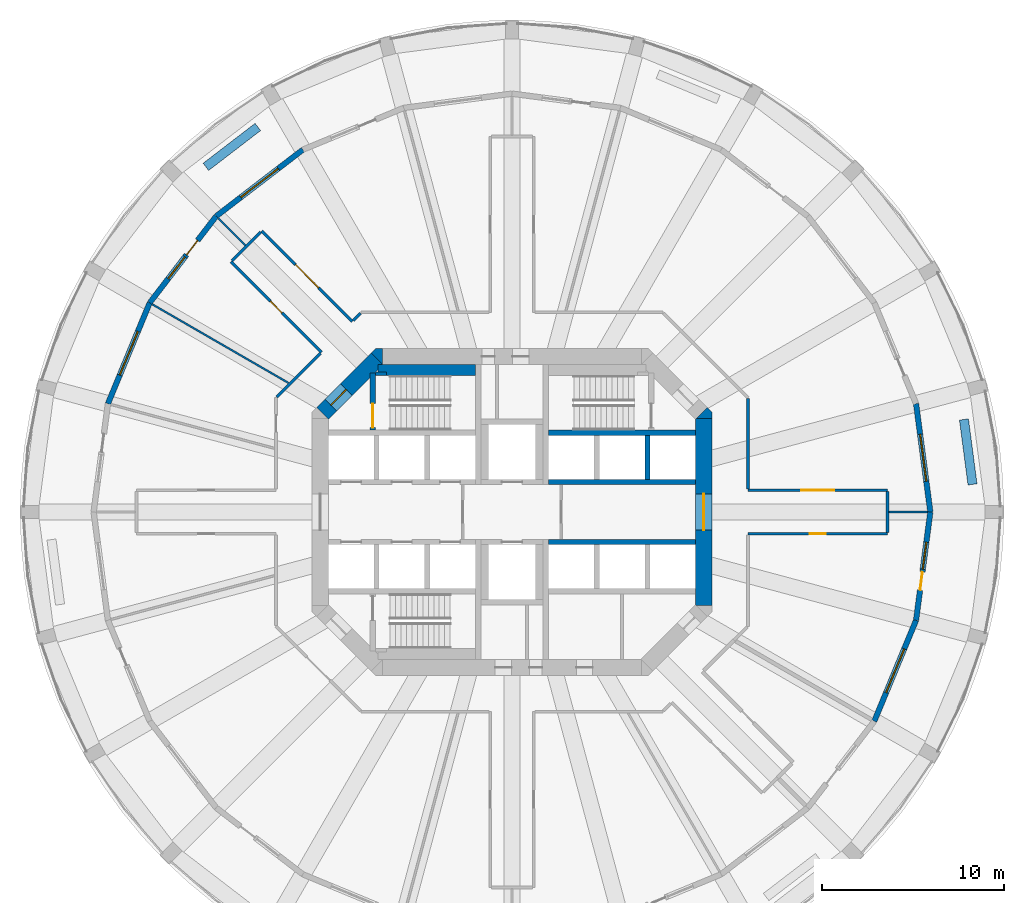
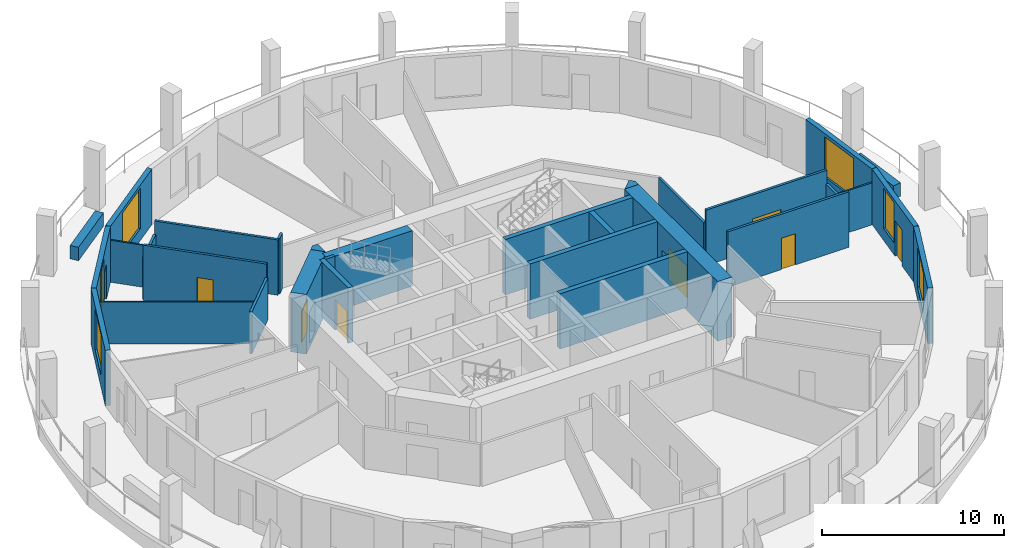
# One storey, part 5 of 9: 31 walls, 9 doors, 6 windows, 15 openings.
"""IFC4 building model written with IfcOpenShell, lengths in metres."""

from ifc_helpers import new_model, si_unit, direction, frame, frame_2d, origin, place, context, subcontext, project, spatial, polyline, rectangle, outline, extrude, material, layer, layer_set, type_object, element, fill, save


model = new_model("IFC4")

# Units and contexts
model_context = context("Model", 3, precision=1e-05, world=origin(), true_north=direction((0.0, 1.0)))
body_context = subcontext(model_context, "Body", "Model", "MODEL_VIEW")
ifc_project = project(units=[si_unit("LENGTHUNIT", "METRE"), si_unit("AREAUNIT", "SQUARE_METRE"), si_unit("VOLUMEUNIT", "CUBIC_METRE"), si_unit("PLANEANGLEUNIT", "RADIAN"), si_unit("MASSUNIT", "GRAM", prefix="KILO")], contexts=[model_context])

# Site, building, storey
site_placement = place(None, origin())
site = spatial("IfcSite", under=ifc_project, at=site_placement, CompositionType="ELEMENT")
building_placement = place(site_placement, origin())
building = spatial("IfcBuilding", under=site, at=building_placement, Name="Torre Triforio", CompositionType="ELEMENT")
storey_placement = place(building_placement, frame((0.0, 0.0, 27.0)))
storey = spatial("IfcBuildingStorey", under=building, at=storey_placement, Name="L04", CompositionType="ELEMENT", Elevation=27.0)

# Wall, opening, door
ifc_material_1 = material(Name="Concrete C60", Category="concrete")
ifc_layer_1 = layer(ifc_material_1, 0.89990234375)
ifc_layer_set_1 = layer_set([ifc_layer_1], Name="Concrete C60")
wall_type_1 = type_object("IfcWallType", Name="Core wall 900 mm C60 EI 120", PredefinedType="SHEAR", material=ifc_layer_set_1)
wall_1_placement = place(storey_placement, frame((10.550048828125, -5.1298828125, -0.280029296875), z_axis=(0.0, 0.0, 1.0), x_axis=(0.0, 1.0, 0.0)))
wall_1 = element("IfcWall", 1, at=wall_1_placement, inside=storey, type_object=wall_type_1, Name="Core wall", PredefinedType="SHEAR", context=body_context, shape_type="SweptSolid", body=[
    extrude(rectangle(XDim=10.259765625, YDim=0.89990234375, at=frame_2d((5.1298828125, 0.0))), origin(), (0.0, 0.0, 1.0), 4.0),
])
opening_1_placement = place(wall_1_placement, frame((4.1298828125, 0.0, 0.280029296875)))
opening_1 = element("IfcOpeningElement", 2, at=opening_1_placement, cuts=wall_1, Name="Opening E-RING", PredefinedType="OPENING", context=body_context, shape_type="SweptSolid", body=[
    extrude(rectangle(XDim=2.0, YDim=2.10009765625, at=frame_2d((1.0, 1.050048828125))), frame((0.0, 0.4599609375, 0.0), z_axis=(0.0, -1.0, 0.0), x_axis=(1.0, 0.0, 0.0)), (0.0, 0.0, 1.0), 0.919921875),
])
ifc_material_2 = material(Name="Hollow metal fire door leaf")
door_type_1 = type_object("IfcDoorType", Name="Lobby door 2000 x 2100 EI 60", OperationType="DOUBLE_DOOR_SINGLE_SWING", PredefinedType="DOOR", material=ifc_material_2)
door_1_placement = place(opening_1_placement, origin())
door_1 = element("IfcDoor", 3, at=door_1_placement, inside=storey, type_object=door_type_1, Name="Core door E-RING", OperationType="DOUBLE_DOOR_SINGLE_SWING", OverallHeight=2.10009765625, OverallWidth=2.0, PredefinedType="DOOR", context=body_context, shape_type="SweptSolid", body=[
    extrude(rectangle(XDim=2.0, YDim=2.10009765625, at=frame_2d((1.0, 1.050048828125))), frame((0.0, 0.02490234375, 0.0), z_axis=(0.0, -1.0, 0.0), x_axis=(1.0, 0.0, 0.0)), (0.0, 0.0, 1.0), 0.050048828125),
])
fill(opening_1, door_1)

wall_2_placement = place(storey_placement, frame((-10.418212890625, 5.418212890625, -0.280029296875), z_axis=(0.0, 0.0, 1.0), x_axis=(0.707106781187, 0.707106781187, 0.0)))
wall_2 = element("IfcWall", 4, at=wall_2_placement, inside=storey, type_object=wall_type_1, Name="Core wall", PredefinedType="SHEAR", context=body_context, shape_type="SweptSolid", body=[
    extrude(rectangle(XDim=4.24267578125, YDim=0.89990234375, at=frame_2d((2.121337890625, 0.0))), origin(), (0.0, 0.0, 1.0), 4.0),
])
opening_2_placement = place(wall_2_placement, frame((0.64990234375, 0.0, 0.280029296875)))
opening_2 = element("IfcOpeningElement", 5, at=opening_2_placement, cuts=wall_2, Name="Opening ST1-EXIT", PredefinedType="OPENING", context=body_context, shape_type="SweptSolid", body=[
    extrude(rectangle(XDim=1.199951171875, YDim=2.10009765625, at=frame_2d((0.60009765625, 1.050048828125))), frame((0.0, 0.4599609375, 0.0), z_axis=(0.0, -1.0, 0.0), x_axis=(1.0, 0.0, 0.0)), (0.0, 0.0, 1.0), 0.919921875),
])
door_type_2 = type_object("IfcDoorType", Name="Stair lobby door 1200 x 2100 EI 60", OperationType="NOTDEFINED", PredefinedType="DOOR", material=ifc_material_2)
door_2_placement = place(opening_2_placement, origin())
door_2 = element("IfcDoor", 6, at=door_2_placement, inside=storey, type_object=door_type_2, Name="Core door ST1-EXIT", OperationType="SINGLE_SWING_RIGHT", OverallHeight=2.10009765625, OverallWidth=1.199951171875, PredefinedType="DOOR", context=body_context, shape_type="SweptSolid", body=[
    extrude(rectangle(XDim=1.199951171875, YDim=2.10009765625, at=frame_2d((0.60009765625, 1.050048828125))), frame((0.0, 0.02490234375, 0.0), z_axis=(0.0, -1.0, 0.0), x_axis=(1.0, 0.0, 0.0)), (0.0, 0.0, 1.0), 0.050048828125),
])
fill(opening_2, door_2)

# Walls
wall_3_placement = place(storey_placement, frame((0.0, 0.0, -0.280029296875)))
element("IfcWall", 7, at=wall_3_placement, inside=storey, type_object=wall_type_1, Name="Core wall", PredefinedType="SHEAR", context=body_context, shape_type="SweptSolid", body=[
    extrude(outline(polyline([(11.0, 5.472900390625), (11.0, 5.1298828125), (10.1298828125, 5.1298828125), (10.736328125, 5.736328125), (11.0, 5.472900390625)])), origin(), (0.0, 0.0, 1.0), 4.0),
])
wall_4_placement = place(storey_placement, frame((0.0, 0.0, -0.280029296875)))
element("IfcWall", 8, at=wall_4_placement, inside=storey, type_object=wall_type_1, Name="Core wall", PredefinedType="SHEAR", context=body_context, shape_type="SweptSolid", body=[
    extrude(outline(polyline([(-7.472900390625, 9.0), (-7.1298828125, 9.0), (-7.1298828125, 8.1298828125), (-7.736328125, 8.736328125), (-7.472900390625, 9.0)])), origin(), (0.0, 0.0, 1.0), 4.0),
])
ifc_material_3 = material(Name="Plasterboard on metal studs")
ifc_layer_2 = layer(ifc_material_3, 0.14990234375)
ifc_layer_set_2 = layer_set([ifc_layer_2], Name="Plasterboard on metal studs")
wall_type_2 = type_object("IfcWallType", Name="Corridor and tenancy wall 150 mm EI 60", PredefinedType="PARTITIONING", material=ifc_layer_set_2)
wall_5_placement = place(storey_placement, frame((-12.93798828125, 6.327880859375, 0.0), z_axis=(0.0, 0.0, 1.0), x_axis=(0.707106781187, 0.707106781187, 0.0)))
element("IfcWall", 9, at=wall_5_placement, inside=storey, type_object=wall_type_2, Name="Partition 16", PredefinedType="PARTITIONING", context=body_context, shape_type="SweptSolid", body=[
    extrude(rectangle(XDim=3.399169921875, YDim=0.14990234375, at=frame_2d((1.69970703125, 0.0))), origin(), (0.0, 0.0, 1.0), 2.820068359375),
])

# Wall, opening, door
wall_6_placement = place(storey_placement, frame((-10.4814453125, 8.784423828125, 0.0), z_axis=(0.0, 0.0, 1.0), x_axis=(-0.707124155885, 0.707089406061, 0.0)))
wall_6 = element("IfcWall", 10, at=wall_6_placement, inside=storey, type_object=wall_type_2, Name="Partition 17", PredefinedType="PARTITIONING", context=body_context, shape_type="SweptSolid", body=[
    extrude(rectangle(XDim=7.025634765625, YDim=0.14990234375, at=frame_2d((3.5126953125, 0.0))), origin(), (0.0, 0.0, 1.0), 3.719970703125),
])
opening_3_placement = place(wall_6_placement, frame((3.062744140625, 0.0, 0.0)))
opening_3 = element("IfcOpeningElement", 11, at=opening_3_placement, cuts=wall_6, Name="Opening N1-05", PredefinedType="OPENING", context=body_context, shape_type="SweptSolid", body=[
    extrude(rectangle(XDim=0.89990234375, YDim=2.10009765625, at=frame_2d((0.449951171875, 1.050048828125))), frame((0.0, 0.0849609375, 0.0), z_axis=(0.0, -1.0, 0.0), x_axis=(1.0, 0.0, 0.0)), (0.0, 0.0, 1.0), 0.169921875),
])
ifc_material_4 = material(Name="Timber", Category="wood")
door_type_3 = type_object("IfcDoorType", Name="Door 900 x 2100 single leaf EI 30", OperationType="NOTDEFINED", PredefinedType="DOOR", material=ifc_material_4)
door_3_placement = place(opening_3_placement, origin())
door_3 = element("IfcDoor", 12, at=door_3_placement, inside=storey, type_object=door_type_3, Name="Door N1-05", OperationType="SINGLE_SWING_RIGHT", OverallHeight=2.10009765625, OverallWidth=0.89990234375, PredefinedType="DOOR", context=body_context, shape_type="SweptSolid", body=[
    extrude(rectangle(XDim=0.89990234375, YDim=2.10009765625, at=frame_2d((0.449951171875, 1.050048828125))), frame((0.0, 0.02490234375, 0.0), z_axis=(0.0, -1.0, 0.0), x_axis=(1.0, 0.0, 0.0)), (0.0, 0.0, 1.0), 0.050048828125),
])
fill(opening_3, door_3)

# Wall
wall_7_placement = place(storey_placement, frame((-15.396240234375, 13.805419921875, 0.0), z_axis=(0.0, 0.0, 1.0), x_axis=(0.707106781187, 0.707106781187, 0.0)))
element("IfcWall", 13, at=wall_7_placement, inside=storey, type_object=wall_type_2, Name="Partition 18", PredefinedType="PARTITIONING", context=body_context, shape_type="SweptSolid", body=[
    extrude(rectangle(XDim=2.249755859375, YDim=0.14990234375, at=frame_2d((1.125, 0.0))), origin(), (0.0, 0.0, 1.0), 2.820068359375),
])

# Wall, opening, door
wall_8_placement = place(storey_placement, frame((-13.752197265625, 15.449462890625, 0.0), z_axis=(0.0, 0.0, 1.0), x_axis=(0.707089406061, -0.707124155885, 0.0)))
wall_8 = element("IfcWall", 14, at=wall_8_placement, inside=storey, type_object=wall_type_2, Name="Partition 19", PredefinedType="PARTITIONING", context=body_context, shape_type="SweptSolid", body=[
    extrude(rectangle(XDim=7.025634765625, YDim=0.14990234375, at=frame_2d((3.5126953125, 0.0))), origin(), (0.0, 0.0, 1.0), 3.719970703125),
])
opening_4_placement = place(wall_8_placement, frame((2.61279296875, 0.0, 0.0)))
opening_4 = element("IfcOpeningElement", 15, at=opening_4_placement, cuts=wall_8, Name="Opening N1-04", PredefinedType="OPENING", context=body_context, shape_type="SweptSolid", body=[
    extrude(rectangle(XDim=1.800048828125, YDim=2.10009765625, at=frame_2d((0.89990234375, 1.050048828125))), frame((0.0, 0.0849609375, 0.0), z_axis=(0.0, -1.0, 0.0), x_axis=(1.0, 0.0, 0.0)), (0.0, 0.0, 1.0), 0.169921875),
])
door_type_4 = type_object("IfcDoorType", Name="Door 1800 x 2100 double leaf EI 30", OperationType="DOUBLE_DOOR_SINGLE_SWING", PredefinedType="DOOR", material=ifc_material_4)
door_4_placement = place(opening_4_placement, origin())
door_4 = element("IfcDoor", 16, at=door_4_placement, inside=storey, type_object=door_type_4, Name="Door N1-04", OperationType="DOUBLE_DOOR_SINGLE_SWING", OverallHeight=2.10009765625, OverallWidth=1.800048828125, PredefinedType="DOOR", context=body_context, shape_type="SweptSolid", body=[
    extrude(rectangle(XDim=1.800048828125, YDim=2.10009765625, at=frame_2d((0.89990234375, 1.050048828125))), frame((0.0, 0.02490234375, 0.0), z_axis=(0.0, -1.0, 0.0), x_axis=(1.0, 0.0, 0.0)), (0.0, 0.0, 1.0), 0.050048828125),
])
fill(opening_4, door_4)

# Walls
wall_9_placement = place(storey_placement, frame((-8.7314453125, 10.534423828125, 0.0), z_axis=(0.0, 0.0, 1.0), x_axis=(0.707106781187, 0.707106781187, 0.0)))
element("IfcWall", 17, at=wall_9_placement, inside=storey, type_object=wall_type_2, Name="Partition 20", PredefinedType="PARTITIONING", context=body_context, shape_type="SweptSolid", body=[
    extrude(rectangle(XDim=0.57080078125, YDim=0.14990234375, at=frame_2d((0.285400390625, 0.0))), origin(), (0.0, 0.0, 1.0), 3.719970703125),
])
wall_10_placement = place(storey_placement, frame((12.97509765625, 6.23828125, 0.0), z_axis=(0.0, 0.0, 1.0), x_axis=(0.0, -1.0, 0.0)))
element("IfcWall", 18, at=wall_10_placement, inside=storey, type_object=wall_type_2, Name="Partition 27", PredefinedType="PARTITIONING", context=body_context, shape_type="SweptSolid", body=[
    extrude(rectangle(XDim=4.96337890625, YDim=0.14990234375, at=frame_2d((2.481689453125, 0.0))), origin(), (0.0, 0.0, 1.0), 2.820068359375),
])

# Wall, opening, door
wall_11_placement = place(storey_placement, frame((12.97509765625, 1.199951171875, 0.0), z_axis=(0.0, 0.0, 1.0), x_axis=(1.0, 0.0, 0.0)))
wall_11 = element("IfcWall", 19, at=wall_11_placement, inside=storey, type_object=wall_type_2, Name="Partition 28", PredefinedType="PARTITIONING", context=body_context, shape_type="SweptSolid", body=[
    extrude(rectangle(XDim=7.673583984375, YDim=0.14990234375, at=frame_2d((3.8369140625, 0.0))), origin(), (0.0, 0.0, 1.0), 3.719970703125),
])
opening_5_placement = place(wall_11_placement, frame((2.93701171875, 0.0, 0.0)))
opening_5 = element("IfcOpeningElement", 20, at=opening_5_placement, cuts=wall_11, Name="Opening N1-01", PredefinedType="OPENING", context=body_context, shape_type="SweptSolid", body=[
    extrude(rectangle(XDim=1.800048828125, YDim=2.10009765625, at=frame_2d((0.89990234375, 1.050048828125))), frame((0.0, 0.0849609375, 0.0), z_axis=(0.0, -1.0, 0.0), x_axis=(1.0, 0.0, 0.0)), (0.0, 0.0, 1.0), 0.169921875),
])
door_5_placement = place(opening_5_placement, origin())
door_5 = element("IfcDoor", 21, at=door_5_placement, inside=storey, type_object=door_type_4, Name="Door N1-01", OperationType="DOUBLE_DOOR_SINGLE_SWING", OverallHeight=2.10009765625, OverallWidth=1.800048828125, PredefinedType="DOOR", context=body_context, shape_type="SweptSolid", body=[
    extrude(rectangle(XDim=1.800048828125, YDim=2.10009765625, at=frame_2d((0.89990234375, 1.050048828125))), frame((0.0, 0.02490234375, 0.0), z_axis=(0.0, -1.0, 0.0), x_axis=(1.0, 0.0, 0.0)), (0.0, 0.0, 1.0), 0.050048828125),
])
fill(opening_5, door_5)

# Wall
wall_12_placement = place(storey_placement, frame((20.648681640625, 1.125, 0.0), z_axis=(0.0, 0.0, 1.0), x_axis=(0.0, -1.0, 0.0)))
element("IfcWall", 22, at=wall_12_placement, inside=storey, type_object=wall_type_2, Name="Partition 29", PredefinedType="PARTITIONING", context=body_context, shape_type="SweptSolid", body=[
    extrude(rectangle(XDim=2.25, YDim=0.14990234375, at=frame_2d((1.125, 0.0))), origin(), (0.0, 0.0, 1.0), 2.820068359375),
])

# Wall, opening, door
wall_13_placement = place(storey_placement, frame((20.648681640625, -1.199951171875, 0.0), z_axis=(0.0, 0.0, 1.0), x_axis=(-1.0, 0.0, 0.0)))
wall_13 = element("IfcWall", 23, at=wall_13_placement, inside=storey, type_object=wall_type_2, Name="Partition 30", PredefinedType="PARTITIONING", context=body_context, shape_type="SweptSolid", body=[
    extrude(rectangle(XDim=7.673583984375, YDim=0.14990234375, at=frame_2d((3.8369140625, 0.0))), origin(), (0.0, 0.0, 1.0), 3.719970703125),
])
opening_6_placement = place(wall_13_placement, frame((3.386962890625, 0.0, 0.0)))
opening_6 = element("IfcOpeningElement", 24, at=opening_6_placement, cuts=wall_13, Name="Opening N1-14", PredefinedType="OPENING", context=body_context, shape_type="SweptSolid", body=[
    extrude(rectangle(XDim=0.89990234375, YDim=2.10009765625, at=frame_2d((0.449951171875, 1.050048828125))), frame((0.0, 0.0849609375, 0.0), z_axis=(0.0, -1.0, 0.0), x_axis=(1.0, 0.0, 0.0)), (0.0, 0.0, 1.0), 0.169921875),
])
door_6_placement = place(opening_6_placement, origin())
door_6 = element("IfcDoor", 25, at=door_6_placement, inside=storey, type_object=door_type_3, Name="Door N1-14", OperationType="SINGLE_SWING_RIGHT", OverallHeight=2.10009765625, OverallWidth=0.89990234375, PredefinedType="DOOR", context=body_context, shape_type="SweptSolid", body=[
    extrude(rectangle(XDim=0.89990234375, YDim=2.10009765625, at=frame_2d((0.449951171875, 1.050048828125))), frame((0.0, 0.02490234375, 0.0), z_axis=(0.0, -1.0, 0.0), x_axis=(1.0, 0.0, 0.0)), (0.0, 0.0, 1.0), 0.050048828125),
])
fill(opening_6, door_6)

# Walls
ifc_layer_3 = layer(ifc_material_3, 0.10009765625)
ifc_layer_set_3 = layer_set([ifc_layer_3], Name="Plasterboard on metal studs")
wall_type_3 = type_object("IfcWallType", Name="Partition 100 mm board on metal studs", PredefinedType="PARTITIONING", material=ifc_layer_set_3)
for number, where, z_axis, x_axis, name in (
    (26, (20.7236328125, 0.0, 0.0), (0.0, 0.0, 1.0), (1.0, 0.0, 0.0), "Partition 35"),
    (27, (-14.65380859375, 14.65380859375, 0.0), (0.0, 0.0, 1.0), (-0.707106781187, 0.707106781187, 0.0), "Partition 39"),
):
    element("IfcWall", number, at=place(storey_placement, frame(where, z_axis=z_axis, x_axis=x_axis)), inside=storey, type_object=wall_type_3, Name=name, PredefinedType="PARTITIONING", context=body_context, shape_type="SweptSolid", body=[
        extrude(rectangle(XDim=2.113037109375, YDim=0.10009765625, at=frame_2d((1.056640625, 0.0))), origin(), (0.0, 0.0, 1.0), 2.820068359375),
    ])
wall_14_placement = place(storey_placement, frame((-12.294189453125, 7.097900390625, 0.0), z_axis=(0.0, 0.0, 1.0), x_axis=(-0.866010547425, 0.500025731086, 0.0)))
element("IfcWall", 28, at=wall_14_placement, inside=storey, type_object=wall_type_3, Name="Partition 40", PredefinedType="PARTITIONING", context=body_context, shape_type="SweptSolid", body=[
    extrude(rectangle(XDim=8.640625, YDim=0.10009765625, at=frame_2d((4.3203125, 0.0))), origin(), (0.0, 0.0, 1.0), 2.820068359375),
])
ifc_material_5 = material(Name="Limestone cladding", Category="masonry")
ifc_layer_4 = layer(ifc_material_5, 0.10009765625)
ifc_material_6 = material(Name="Concrete C40", Category="concrete")
ifc_layer_5 = layer(ifc_material_6, 0.39990234375)
ifc_layer_set_4 = layer_set([ifc_layer_4, ifc_layer_5], Name="Limestone cladding / Concrete C40")
wall_type_4 = type_object("IfcWallType", Name="Planter wall 500", PredefinedType="PARAPET", material=ifc_layer_set_4)
wall_15_placement = place(storey_placement, frame((25.318603515625, 1.517578125, 0.0), z_axis=(0.0, 0.0, 1.0), x_axis=(-0.130542222659, 0.991442750795, 0.0)))
element("IfcWall", 29, at=wall_15_placement, inside=storey, type_object=wall_type_4, Name="Planter L04 bay 01", PredefinedType="PARAPET", context=body_context, shape_type="SweptSolid", body=[
    extrude(rectangle(XDim=3.60009765625, YDim=0.5, at=frame_2d((1.800048828125, 0.0))), origin(), (0.0, 0.0, 1.0), 0.89990234375),
])
wall_16_placement = place(storey_placement, frame((-13.9736328125, 21.16748046875, 0.0), z_axis=(0.0, 0.0, 1.0), x_axis=(-0.793359599829, -0.608753271334, 0.0)))
element("IfcWall", 30, at=wall_16_placement, inside=storey, type_object=wall_type_4, Name="Planter L04 bay 09", PredefinedType="PARAPET", context=body_context, shape_type="SweptSolid", body=[
    extrude(rectangle(XDim=3.599853515625, YDim=0.5, at=frame_2d((1.7998046875, 0.0))), origin(), (0.0, 0.0, 1.0), 0.89990234375),
])
ifc_layer_6 = layer(ifc_material_1, 0.300048828125)
ifc_layer_set_5 = layer_set([ifc_layer_6], Name="Concrete C60")
wall_type_5 = type_object("IfcWallType", Name="Shaft wall 300 mm C60 EI 120", PredefinedType="SOLIDWALL", material=ifc_layer_set_5)
for number, where, z_axis, x_axis, name in (
    (31, (2.0, 4.35009765625, 0.0), (0.0, 0.0, 1.0), (1.0, 0.0, 0.0), "Shaft wall"),
    (32, (2.0, 1.64990234375, 0.0), (0.0, 0.0, 1.0), (1.0, 0.0, 0.0), "Shaft wall"),
    (33, (2.0, -1.64990234375, 0.0), (0.0, 0.0, 1.0), (1.0, 0.0, 0.0), "Shaft wall"),
):
    element("IfcWall", number, at=place(storey_placement, frame(where, z_axis=z_axis, x_axis=x_axis)), inside=storey, type_object=wall_type_5, Name=name, PredefinedType="SOLIDWALL", context=body_context, shape_type="SweptSolid", body=[
        extrude(rectangle(XDim=8.10009765625, YDim=0.300048828125, at=frame_2d((4.050048828125, 0.0))), origin(), (0.0, 0.0, 1.0), 3.719970703125),
    ])
wall_17_placement = place(storey_placement, frame((7.449951171875, 1.800048828125, 0.0), z_axis=(0.0, 0.0, 1.0), x_axis=(0.0, 1.0, 0.0)))
element("IfcWall", 34, at=wall_17_placement, inside=storey, type_object=wall_type_5, Name="Shaft wall", PredefinedType="SOLIDWALL", context=body_context, shape_type="SweptSolid", body=[
    extrude(rectangle(XDim=2.39990234375, YDim=0.300048828125, at=frame_2d((1.199951171875, 0.0))), origin(), (0.0, 0.0, 1.0), 3.719970703125),
])
ifc_layer_7 = layer(ifc_material_1, 0.199951171875)
ifc_layer_set_6 = layer_set([ifc_layer_7], Name="Concrete C60")
wall_type_6 = type_object("IfcWallType", Name="Stair wall 200 mm C60 EI 120", PredefinedType="SHEAR", material=ifc_layer_set_6)
wall_18_placement = place(storey_placement, frame((-7.5, 7.60009765625, 0.0), z_axis=(0.0, 0.0, 1.0), x_axis=(1.0, 0.0, 0.0)))
element("IfcWall", 35, at=wall_18_placement, inside=storey, type_object=wall_type_6, Name="Stair wall", PredefinedType="SHEAR", context=body_context, shape_type="SweptSolid", body=[
    extrude(rectangle(XDim=0.60009765625, YDim=0.199951171875, at=frame_2d((0.300048828125, 0.0))), origin(), (0.0, 0.0, 1.0), 3.719970703125),
])

# Wall, opening, door
ifc_layer_8 = layer(ifc_material_1, 0.300048828125)
ifc_layer_set_7 = layer_set([ifc_layer_8], Name="Concrete C60")
wall_type_7 = type_object("IfcWallType", Name="Stair wall 300 mm C60 EI 120", PredefinedType="SHEAR", material=ifc_layer_set_7)
wall_19_placement = place(storey_placement, frame((-7.64990234375, 4.5, 0.0), z_axis=(0.0, 0.0, 1.0), x_axis=(0.0, 1.0, 0.0)))
wall_19 = element("IfcWall", 36, at=wall_19_placement, inside=storey, type_object=wall_type_7, Name="Stair wall", PredefinedType="SHEAR", context=body_context, shape_type="SweptSolid", body=[
    extrude(rectangle(XDim=3.139892578125, YDim=0.300048828125, at=frame_2d((1.56982421875, 0.0))), origin(), (0.0, 0.0, 1.0), 3.719970703125),
])
opening_7_placement = place(wall_19_placement, frame((0.139892578125, 0.0, 0.0)))
opening_7 = element("IfcOpeningElement", 37, at=opening_7_placement, cuts=wall_19, Name="Opening ST1-STA", PredefinedType="OPENING", context=body_context, shape_type="SweptSolid", body=[
    extrude(rectangle(XDim=1.320068359375, YDim=2.10009765625, at=frame_2d((0.66015625, 1.050048828125))), frame((0.0, 0.159912109375, 0.0), z_axis=(0.0, -1.0, 0.0), x_axis=(1.0, 0.0, 0.0)), (0.0, 0.0, 1.0), 0.320068359375),
])
door_type_5 = type_object("IfcDoorType", Name="Stair door 1320 x 2100 EI 90", OperationType="DOUBLE_DOOR_SINGLE_SWING", PredefinedType="DOOR", material=ifc_material_2)
door_7_placement = place(opening_7_placement, origin())
door_7 = element("IfcDoor", 38, at=door_7_placement, inside=storey, type_object=door_type_5, Name="Core door ST1-ST", OperationType="DOUBLE_DOOR_SINGLE_SWING", OverallHeight=2.10009765625, OverallWidth=1.320068359375, PredefinedType="DOOR", context=body_context, shape_type="SweptSolid", body=[
    extrude(rectangle(XDim=1.320068359375, YDim=2.10009765625, at=frame_2d((0.66015625, 1.050048828125))), frame((0.0, 0.02490234375, 0.0), z_axis=(0.0, -1.0, 0.0), x_axis=(1.0, 0.0, 0.0)), (0.0, 0.0, 1.0), 0.050048828125),
])
fill(opening_7, door_7)

# Wall
ifc_layer_9 = layer(ifc_material_1, 0.60009765625)
ifc_layer_set_8 = layer_set([ifc_layer_9], Name="Concrete C60")
wall_type_8 = type_object("IfcWallType", Name="Stair wall 600 mm C60 EI 120", PredefinedType="SHEAR", material=ifc_layer_set_8)
wall_20_placement = place(storey_placement, frame((-7.3701171875, 7.800048828125, 0.0), z_axis=(0.0, 0.0, 1.0), x_axis=(1.0, 0.0, 0.0)))
element("IfcWall", 39, at=wall_20_placement, inside=storey, type_object=wall_type_8, Name="Stair wall", PredefinedType="SHEAR", context=body_context, shape_type="SweptSolid", body=[
    extrude(rectangle(XDim=5.3701171875, YDim=0.60009765625, at=frame_2d((2.68505859375, 0.0))), origin(), (0.0, 0.0, 1.0), 3.719970703125),
])

# Wall, opening, window
ifc_layer_10 = layer(ifc_material_5, 0.10009765625)
ifc_layer_11 = layer(ifc_material_6, 0.199951171875)
ifc_layer_set_9 = layer_set([ifc_layer_10, ifc_layer_11], Name="Limestone cladding / Concrete C40")
wall_type_9 = type_object("IfcWallType", Name="Stone-faced composite wall 300", PredefinedType="STANDARD", material=ifc_layer_set_9)
wall_21_placement = place(storey_placement, frame((23.0, 0.0, 0.0), z_axis=(0.0, 0.0, 1.0), x_axis=(-0.130522880875, 0.991445297315, 0.0)))
wall_21 = element("IfcWall", 40, at=wall_21_placement, inside=storey, type_object=wall_type_9, Name="External wall L04 bay 01", PredefinedType="STANDARD", context=body_context, shape_type="SweptSolid", body=[
    extrude(rectangle(XDim=6.004150390625, YDim=0.300048828125, at=frame_2d((3.001953125, 0.0))), origin(), (0.0, 0.0, 1.0), 3.719970703125),
])
opening_8_placement = place(wall_21_placement, frame((1.7021484375, 0.0, 0.800048828125)))
opening_8 = element("IfcOpeningElement", 41, at=opening_8_placement, cuts=wall_21, Name="Opening N1-W01", PredefinedType="OPENING", context=body_context, shape_type="SweptSolid", body=[
    extrude(rectangle(XDim=2.60009765625, YDim=2.699951171875, at=frame_2d((1.300048828125, 1.35009765625))), frame((0.0, 0.159912109375, 0.0), z_axis=(0.0, -1.0, 0.0), x_axis=(1.0, 0.0, 0.0)), (0.0, 0.0, 1.0), 0.320068359375),
])
ifc_material_7 = material(Name="Aluminium frame with clear double glazing", Category="aluminium")
window_type_1 = type_object("IfcWindowType", Name="Punched window 2600 x 2700", PartitioningType="DOUBLE_PANEL_VERTICAL", PredefinedType="WINDOW", material=ifc_material_7)
window_1_placement = place(opening_8_placement, origin())
window_1 = element("IfcWindow", 42, at=window_1_placement, inside=storey, type_object=window_type_1, Name="Window EWN2 L04 bay 01", OverallHeight=2.699951171875, OverallWidth=2.60009765625, PartitioningType="SINGLE_PANEL", PredefinedType="WINDOW", context=body_context, shape_type="SweptSolid", body=[
    extrude(rectangle(XDim=2.60009765625, YDim=2.699951171875, at=frame_2d((1.300048828125, 1.35009765625))), frame((0.0, 0.030029296875, 0.0), z_axis=(0.0, -1.0, 0.0), x_axis=(1.0, 0.0, 0.0)), (0.0, 0.0, 1.0), 0.06005859375),
])
fill(opening_8, window_1)

wall_22_placement = place(storey_placement, frame((-11.5, 19.918701171875, 0.0), z_axis=(0.0, 0.0, 1.0), x_axis=(-0.793339924758, -0.608778912074, 0.0)))
wall_22 = element("IfcWall", 43, at=wall_22_placement, inside=storey, type_object=wall_type_9, Name="External wall L04 bay 09", PredefinedType="STANDARD", context=body_context, shape_type="SweptSolid", body=[
    extrude(rectangle(XDim=6.004150390625, YDim=0.300048828125, at=frame_2d((3.001953125, 0.0))), origin(), (0.0, 0.0, 1.0), 3.719970703125),
])
opening_9_placement = place(wall_22_placement, frame((1.7021484375, 0.0, 0.800048828125)))
opening_9 = element("IfcOpeningElement", 44, at=opening_9_placement, cuts=wall_22, Name="Opening N1-W09", PredefinedType="OPENING", context=body_context, shape_type="SweptSolid", body=[
    extrude(rectangle(XDim=2.60009765625, YDim=2.699951171875, at=frame_2d((1.300048828125, 1.35009765625))), frame((0.0, 0.159912109375, 0.0), z_axis=(0.0, -1.0, 0.0), x_axis=(1.0, 0.0, 0.0)), (0.0, 0.0, 1.0), 0.320068359375),
])
window_2_placement = place(opening_9_placement, origin())
window_2 = element("IfcWindow", 45, at=window_2_placement, inside=storey, type_object=window_type_1, Name="Window EWN2 L04 bay 09", OverallHeight=2.699951171875, OverallWidth=2.60009765625, PartitioningType="SINGLE_PANEL", PredefinedType="WINDOW", context=body_context, shape_type="SweptSolid", body=[
    extrude(rectangle(XDim=2.60009765625, YDim=2.699951171875, at=frame_2d((1.300048828125, 1.35009765625))), frame((0.0, 0.030029296875, 0.0), z_axis=(0.0, -1.0, 0.0), x_axis=(1.0, 0.0, 0.0)), (0.0, 0.0, 1.0), 0.06005859375),
])
fill(opening_9, window_2)

# Wall, openings, door, window
wall_23_placement = place(storey_placement, frame((-16.263427734375, 16.263427734375, 0.0), z_axis=(0.0, 0.0, 1.0), x_axis=(-0.608778912074, -0.793339924758, 0.0)))
wall_23 = element("IfcWall", 46, at=wall_23_placement, inside=storey, type_object=wall_type_9, Name="External wall L04 bay 10", PredefinedType="STANDARD", context=body_context, shape_type="SweptSolid", body=[
    extrude(rectangle(XDim=6.004150390625, YDim=0.300048828125, at=frame_2d((3.001953125, 0.0))), origin(), (0.0, 0.0, 1.0), 3.719970703125),
])
opening_10_placement = place(wall_23_placement, frame((1.677001953125, 0.0, 0.0)))
opening_10 = element("IfcOpeningElement", 47, at=opening_10_placement, cuts=wall_23, Name="Opening N1-D10", PredefinedType="OPENING", context=body_context, shape_type="SweptSolid", body=[
    extrude(rectangle(XDim=1.0, YDim=2.39990234375, at=frame_2d((0.5, 1.199951171875))), frame((0.0, 0.159912109375, 0.0), z_axis=(0.0, -1.0, 0.0), x_axis=(1.0, 0.0, 0.0)), (0.0, 0.0, 1.0), 0.320068359375),
])
opening_11_placement = place(wall_23_placement, frame((2.8271484375, 0.0, 0.800048828125)))
opening_11 = element("IfcOpeningElement", 48, at=opening_11_placement, cuts=wall_23, Name="Opening N1-W10A", PredefinedType="OPENING", context=body_context, shape_type="SweptSolid", body=[
    extrude(rectangle(XDim=1.5, YDim=2.699951171875, at=frame_2d((0.75, 1.35009765625))), frame((0.0, 0.159912109375, 0.0), z_axis=(0.0, -1.0, 0.0), x_axis=(1.0, 0.0, 0.0)), (0.0, 0.0, 1.0), 0.320068359375),
])
door_type_6 = type_object("IfcDoorType", Name="Loggia door 1000 x 2400", OperationType="NOTDEFINED", PredefinedType="DOOR", material=ifc_material_7)
door_8_placement = place(opening_10_placement, origin())
door_8 = element("IfcDoor", 49, at=door_8_placement, inside=storey, type_object=door_type_6, Name="Loggia door L04 bay 10", OperationType="SINGLE_SWING_LEFT", OverallHeight=2.39990234375, OverallWidth=1.0, PredefinedType="DOOR", context=body_context, shape_type="SweptSolid", body=[
    extrude(rectangle(XDim=1.0, YDim=2.39990234375, at=frame_2d((0.5, 1.199951171875))), frame((0.0, 0.02490234375, 0.0), z_axis=(0.0, -1.0, 0.0), x_axis=(1.0, 0.0, 0.0)), (0.0, 0.0, 1.0), 0.050048828125),
])
fill(opening_10, door_8)
window_type_2 = type_object("IfcWindowType", Name="Side window 1500 x 2700", PartitioningType="SINGLE_PANEL", PredefinedType="WINDOW", material=ifc_material_7)
window_3_placement = place(opening_11_placement, origin())
window_3 = element("IfcWindow", 50, at=window_3_placement, inside=storey, type_object=window_type_2, Name="Side window EWN12 L04 bay 10", OverallHeight=2.699951171875, OverallWidth=1.5, PartitioningType="SINGLE_PANEL", PredefinedType="WINDOW", context=body_context, shape_type="SweptSolid", body=[
    extrude(rectangle(XDim=1.5, YDim=2.699951171875, at=frame_2d((0.75, 1.35009765625))), frame((0.0, 0.030029296875, 0.0), z_axis=(0.0, -1.0, 0.0), x_axis=(1.0, 0.0, 0.0)), (0.0, 0.0, 1.0), 0.06005859375),
])
fill(opening_11, window_3)

# Wall, opening, window
wall_24_placement = place(storey_placement, frame((-19.918701171875, 11.5, 0.0), z_axis=(0.0, 0.0, 1.0), x_axis=(-0.382671411433, -0.923884511653, 0.0)))
wall_24 = element("IfcWall", 51, at=wall_24_placement, inside=storey, type_object=wall_type_9, Name="External wall L04 bay 11", PredefinedType="STANDARD", context=body_context, shape_type="SweptSolid", body=[
    extrude(rectangle(XDim=6.004150390625, YDim=0.300048828125, at=frame_2d((3.001953125, 0.0))), origin(), (0.0, 0.0, 1.0), 3.719970703125),
])
opening_12_placement = place(wall_24_placement, frame((1.7021484375, 0.0, 0.800048828125)))
opening_12 = element("IfcOpeningElement", 52, at=opening_12_placement, cuts=wall_24, Name="Opening N1-W11", PredefinedType="OPENING", context=body_context, shape_type="SweptSolid", body=[
    extrude(rectangle(XDim=2.60009765625, YDim=2.699951171875, at=frame_2d((1.300048828125, 1.35009765625))), frame((0.0, 0.159912109375, 0.0), z_axis=(0.0, -1.0, 0.0), x_axis=(1.0, 0.0, 0.0)), (0.0, 0.0, 1.0), 0.320068359375),
])
window_4_placement = place(opening_12_placement, origin())
window_4 = element("IfcWindow", 53, at=window_4_placement, inside=storey, type_object=window_type_1, Name="Window EWN2 L04 bay 11", OverallHeight=2.699951171875, OverallWidth=2.60009765625, PartitioningType="SINGLE_PANEL", PredefinedType="WINDOW", context=body_context, shape_type="SweptSolid", body=[
    extrude(rectangle(XDim=2.60009765625, YDim=2.699951171875, at=frame_2d((1.300048828125, 1.35009765625))), frame((0.0, 0.030029296875, 0.0), z_axis=(0.0, -1.0, 0.0), x_axis=(1.0, 0.0, 0.0)), (0.0, 0.0, 1.0), 0.06005859375),
])
fill(opening_12, window_4)

wall_25_placement = place(storey_placement, frame((19.918701171875, -11.5, 0.0), z_axis=(0.0, 0.0, 1.0), x_axis=(0.382671411433, 0.923884511653, 0.0)))
wall_25 = element("IfcWall", 54, at=wall_25_placement, inside=storey, type_object=wall_type_9, Name="External wall L04 bay 23", PredefinedType="STANDARD", context=body_context, shape_type="SweptSolid", body=[
    extrude(rectangle(XDim=6.004150390625, YDim=0.300048828125, at=frame_2d((3.001953125, 0.0))), origin(), (0.0, 0.0, 1.0), 3.719970703125),
])
opening_13_placement = place(wall_25_placement, frame((1.7021484375, 0.0, 0.800048828125)))
opening_13 = element("IfcOpeningElement", 55, at=opening_13_placement, cuts=wall_25, Name="Opening N1-W23", PredefinedType="OPENING", context=body_context, shape_type="SweptSolid", body=[
    extrude(rectangle(XDim=2.60009765625, YDim=2.699951171875, at=frame_2d((1.300048828125, 1.35009765625))), frame((0.0, 0.159912109375, 0.0), z_axis=(0.0, -1.0, 0.0), x_axis=(1.0, 0.0, 0.0)), (0.0, 0.0, 1.0), 0.320068359375),
])
window_5_placement = place(opening_13_placement, origin())
window_5 = element("IfcWindow", 56, at=window_5_placement, inside=storey, type_object=window_type_1, Name="Window EWN2 L04 bay 23", OverallHeight=2.699951171875, OverallWidth=2.60009765625, PartitioningType="SINGLE_PANEL", PredefinedType="WINDOW", context=body_context, shape_type="SweptSolid", body=[
    extrude(rectangle(XDim=2.60009765625, YDim=2.699951171875, at=frame_2d((1.300048828125, 1.35009765625))), frame((0.0, 0.030029296875, 0.0), z_axis=(0.0, -1.0, 0.0), x_axis=(1.0, 0.0, 0.0)), (0.0, 0.0, 1.0), 0.06005859375),
])
fill(opening_13, window_5)

# Wall, openings, door, window
wall_26_placement = place(storey_placement, frame((22.21630859375, -5.952880859375, 0.0), z_axis=(0.0, 0.0, 1.0), x_axis=(0.130522880875, 0.991445297315, 0.0)))
wall_26 = element("IfcWall", 57, at=wall_26_placement, inside=storey, type_object=wall_type_9, Name="External wall L04 bay 24", PredefinedType="STANDARD", context=body_context, shape_type="SweptSolid", body=[
    extrude(rectangle(XDim=6.004150390625, YDim=0.300048828125, at=frame_2d((3.001953125, 0.0))), origin(), (0.0, 0.0, 1.0), 3.719970703125),
])
opening_14_placement = place(wall_26_placement, frame((1.677001953125, 0.0, 0.0)))
opening_14 = element("IfcOpeningElement", 58, at=opening_14_placement, cuts=wall_26, Name="Opening N1-D24", PredefinedType="OPENING", context=body_context, shape_type="SweptSolid", body=[
    extrude(rectangle(XDim=1.0, YDim=2.39990234375, at=frame_2d((0.5, 1.199951171875))), frame((0.0, 0.159912109375, 0.0), z_axis=(0.0, -1.0, 0.0), x_axis=(1.0, 0.0, 0.0)), (0.0, 0.0, 1.0), 0.320068359375),
])
opening_15_placement = place(wall_26_placement, frame((2.8271484375, 0.0, 0.800048828125)))
opening_15 = element("IfcOpeningElement", 59, at=opening_15_placement, cuts=wall_26, Name="Opening N1-W24A", PredefinedType="OPENING", context=body_context, shape_type="SweptSolid", body=[
    extrude(rectangle(XDim=1.5, YDim=2.699951171875, at=frame_2d((0.75, 1.35009765625))), frame((0.0, 0.159912109375, 0.0), z_axis=(0.0, -1.0, 0.0), x_axis=(1.0, 0.0, 0.0)), (0.0, 0.0, 1.0), 0.320068359375),
])
door_9_placement = place(opening_14_placement, origin())
door_9 = element("IfcDoor", 60, at=door_9_placement, inside=storey, type_object=door_type_6, Name="Loggia door L04 bay 24", OperationType="SINGLE_SWING_RIGHT", OverallHeight=2.39990234375, OverallWidth=1.0, PredefinedType="DOOR", context=body_context, shape_type="SweptSolid", body=[
    extrude(rectangle(XDim=1.0, YDim=2.39990234375, at=frame_2d((0.5, 1.199951171875))), frame((0.0, 0.02490234375, 0.0), z_axis=(0.0, -1.0, 0.0), x_axis=(1.0, 0.0, 0.0)), (0.0, 0.0, 1.0), 0.050048828125),
])
fill(opening_14, door_9)
window_6_placement = place(opening_15_placement, origin())
window_6 = element("IfcWindow", 61, at=window_6_placement, inside=storey, type_object=window_type_2, Name="Side window EWN12 L04 bay 24", OverallHeight=2.699951171875, OverallWidth=1.5, PartitioningType="SINGLE_PANEL", PredefinedType="WINDOW", context=body_context, shape_type="SweptSolid", body=[
    extrude(rectangle(XDim=1.5, YDim=2.699951171875, at=frame_2d((0.75, 1.35009765625))), frame((0.0, 0.030029296875, 0.0), z_axis=(0.0, -1.0, 0.0), x_axis=(1.0, 0.0, 0.0)), (0.0, 0.0, 1.0), 0.06005859375),
])
fill(opening_15, window_6)

save(model, "model.ifc")
